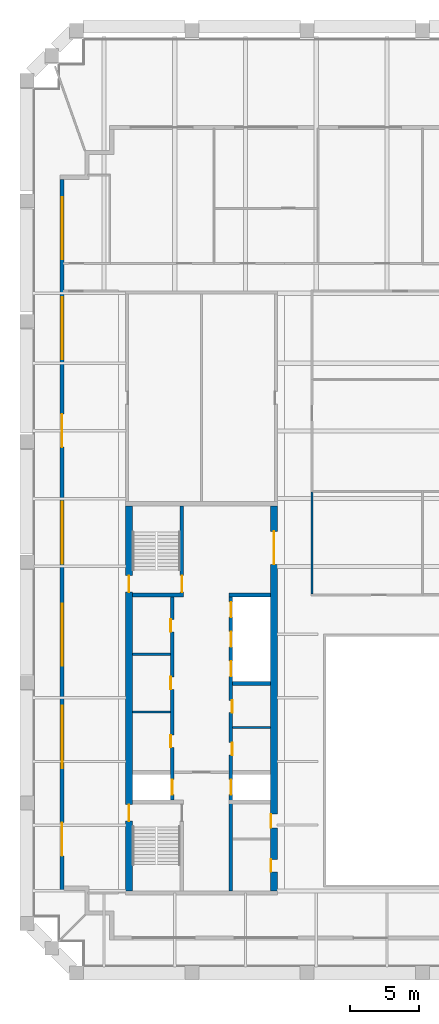
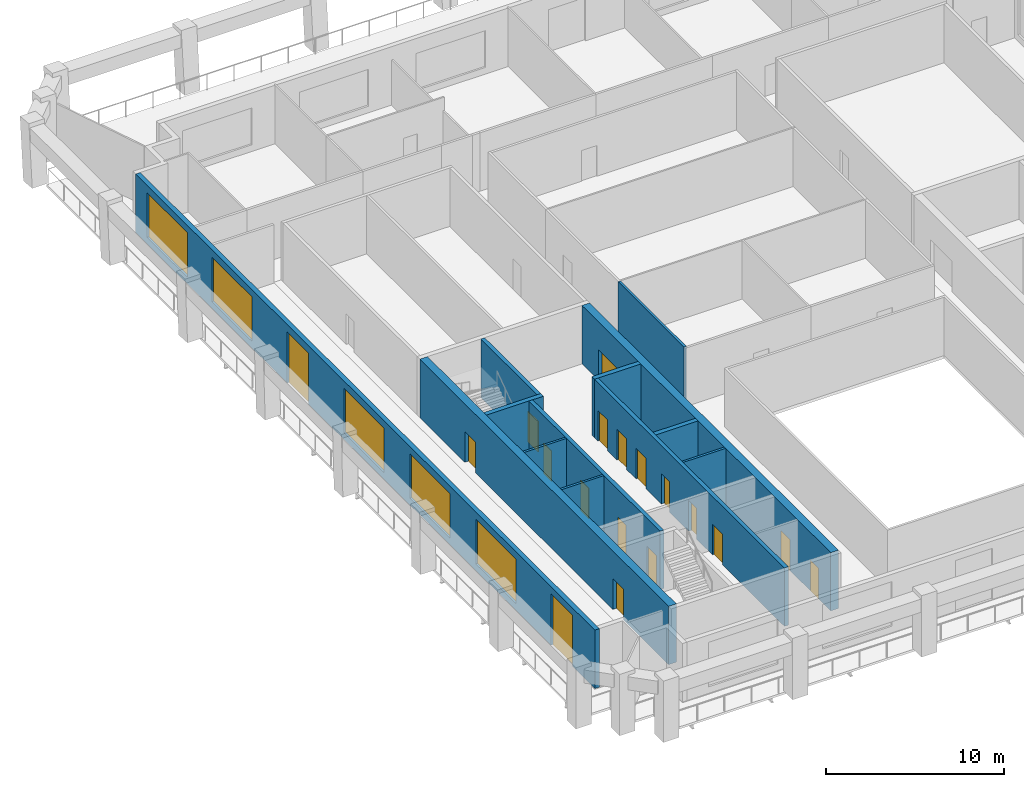
# One storey, part 3 of 8: 18 doors, 13 walls, 5 windows, 23 openings.
"""IFC4 building model written with IfcOpenShell, lengths in metres."""

from ifc_helpers import new_model, si_unit, direction, frame, frame_2d, origin, place, context, subcontext, project, spatial, rectangle, extrude, material, layer, layer_set, type_object, element, fill, save


model = new_model("IFC4")

# Units and contexts
model_context = context("Model", 3, precision=1e-05, world=origin(), true_north=direction((0.0, 1.0)))
body_context = subcontext(model_context, "Body", "Model", "MODEL_VIEW")
ifc_project = project(units=[si_unit("LENGTHUNIT", "METRE"), si_unit("AREAUNIT", "SQUARE_METRE"), si_unit("VOLUMEUNIT", "CUBIC_METRE"), si_unit("PLANEANGLEUNIT", "RADIAN"), si_unit("MASSUNIT", "GRAM", prefix="KILO")], contexts=[model_context])

# Site, building, storey
site_placement = place(None, origin())
site = spatial("IfcSite", under=ifc_project, at=site_placement, CompositionType="ELEMENT")
building_placement = place(site_placement, origin())
building = spatial("IfcBuilding", under=site, at=building_placement, Name="Ogive Exchange Tower", CompositionType="ELEMENT")
storey_placement = place(building_placement, frame((0.0, 0.0, 351.0)))
storey = spatial("IfcBuildingStorey", under=building, at=storey_placement, Name="L77", CompositionType="ELEMENT", Elevation=351.0)

# Walls
ifc_material_1 = material(Name="Gypsum board partition")
ifc_layer_1 = layer(ifc_material_1, 0.14990234375)
ifc_layer_set_1 = layer_set([ifc_layer_1], Name="Core room partition 150 gypsum")
wall_type_1 = type_object("IfcWallType", Name="Core room partition 150 gypsum", PredefinedType="PARTITIONING", material=ifc_layer_set_1)
for number, where, z_axis, x_axis, name in (
    (1, (-21.0, 10.5, 0.0), (0.0, 0.0, 1.0), (1.0, 0.0, 0.0), "W row A bay partition 1-1"),
    (2, (-21.0, 14.699951171875, 0.0), (0.0, 0.0, 1.0), (1.0, 0.0, 0.0), "W row A bay partition 1-2"),
    (3, (-13.75, 9.39990234375, 0.0), (0.0, 0.0, 1.0), (1.0, 0.0, 0.0), "W row B bay partition 1-1"),
):
    element("IfcWall", number, at=place(storey_placement, frame(where, z_axis=z_axis, x_axis=x_axis)), inside=storey, type_object=wall_type_1, Name=name, PredefinedType="PARTITIONING", context=body_context, shape_type="SweptSolid", body=[
        extrude(rectangle(XDim=2.75, YDim=0.14990234375, at=frame_2d((1.375, 0.0))), origin(), (0.0, 0.0, 1.0), 4.0),
    ])
ifc_material_2 = material(Name="Fire partition EI 60 150")
ifc_layer_2 = layer(ifc_material_2, 0.14990234375)
ifc_layer_set_2 = layer_set([ifc_layer_2], Name="Fire partition EI 60 150")
wall_type_2 = type_object("IfcWallType", Name="Fire partition EI 60 150", PredefinedType="PARTITIONING", material=ifc_layer_set_2)
wall_1_placement = place(storey_placement, frame((-8.0, 26.449951171875, 0.0), z_axis=(0.0, 0.0, 1.0), x_axis=(0.0, -1.0, 0.0)))
element("IfcWall", 4, at=wall_1_placement, inside=storey, type_object=wall_type_2, Name="L77-PWL-013", PredefinedType="PARTITIONING", context=body_context, shape_type="SweptSolid", body=[
    extrude(rectangle(XDim=7.375, YDim=0.14990234375, at=frame_2d((3.6875, 0.0))), origin(), (0.0, 0.0, 1.0), 4.0),
])

# Wall, openings, doors, windows
ifc_material_3 = material(Name="Precast concrete C40/50", Category="concrete")
ifc_layer_3 = layer(ifc_material_3, 0.300048828125)
ifc_layer_set_3 = layer_set([ifc_layer_3], Name="Limestone-faced wall 300")
wall_type_3 = type_object("IfcWallType", Name="Limestone-faced wall 300", PredefinedType="STANDARD", material=ifc_layer_set_3)
wall_2_placement = place(storey_placement, frame((-26.10009765625, 49.10009765625, 0.0), z_axis=(0.0, 0.0, 1.0), x_axis=(0.0, -1.0, 0.0)))
wall_2 = element("IfcWall", 5, at=wall_2_placement, inside=storey, type_object=wall_type_3, Name="External wall W4", PredefinedType="STANDARD", context=body_context, shape_type="SweptSolid", body=[
    extrude(rectangle(XDim=51.5, YDim=0.300048828125, at=frame_2d((25.75, 0.0))), origin(), (0.0, 0.0, 1.0), 4.0),
])
opening_1_placement = place(wall_2_placement, frame((1.300048828125, 0.0, 0.449951171875)))
opening_1 = element("IfcOpeningElement", 6, at=opening_1_placement, cuts=wall_2, Name="Opening W1", PredefinedType="OPENING", context=body_context, shape_type="SweptSolid", body=[
    extrude(rectangle(XDim=4.5, YDim=3.050048828125, at=frame_2d((2.25, 1.52490234375))), frame((0.0, 0.159912109375, 0.0), z_axis=(0.0, -1.0, 0.0), x_axis=(1.0, 0.0, 0.0)), (0.0, 0.0, 1.0), 0.320068359375),
])
opening_2_placement = place(wall_2_placement, frame((8.550048828125, 0.0, 0.449951171875)))
opening_2 = element("IfcOpeningElement", 7, at=opening_2_placement, cuts=wall_2, Name="Opening W1", PredefinedType="OPENING", context=body_context, shape_type="SweptSolid", body=[
    extrude(rectangle(XDim=4.5, YDim=3.050048828125, at=frame_2d((2.25, 1.52490234375))), frame((0.0, 0.159912109375, 0.0), z_axis=(0.0, -1.0, 0.0), x_axis=(1.0, 0.0, 0.0)), (0.0, 0.0, 1.0), 0.320068359375),
])
opening_3_placement = place(wall_2_placement, frame((17.0, 0.0, 0.0)))
opening_3 = element("IfcOpeningElement", 8, at=opening_3_placement, cuts=wall_2, Name="Opening D1", PredefinedType="OPENING", context=body_context, shape_type="SweptSolid", body=[
    extrude(rectangle(XDim=2.39990234375, YDim=3.5, at=frame_2d((1.199951171875, 1.75))), frame((0.0, 0.159912109375, 0.0), z_axis=(0.0, -1.0, 0.0), x_axis=(1.0, 0.0, 0.0)), (0.0, 0.0, 1.0), 0.320068359375),
])
opening_4_placement = place(wall_2_placement, frame((23.35009765625, 0.0, 0.449951171875)))
opening_4 = element("IfcOpeningElement", 9, at=opening_4_placement, cuts=wall_2, Name="Opening W1", PredefinedType="OPENING", context=body_context, shape_type="SweptSolid", body=[
    extrude(rectangle(XDim=4.5, YDim=3.050048828125, at=frame_2d((2.25, 1.52490234375))), frame((0.0, 0.159912109375, 0.0), z_axis=(0.0, -1.0, 0.0), x_axis=(1.0, 0.0, 0.0)), (0.0, 0.0, 1.0), 0.320068359375),
])
opening_5_placement = place(wall_2_placement, frame((30.75, 0.0, 0.449951171875)))
opening_5 = element("IfcOpeningElement", 10, at=opening_5_placement, cuts=wall_2, Name="Opening W1", PredefinedType="OPENING", context=body_context, shape_type="SweptSolid", body=[
    extrude(rectangle(XDim=4.5, YDim=3.050048828125, at=frame_2d((2.25, 1.52490234375))), frame((0.0, 0.159912109375, 0.0), z_axis=(0.0, -1.0, 0.0), x_axis=(1.0, 0.0, 0.0)), (0.0, 0.0, 1.0), 0.320068359375),
])
opening_6_placement = place(wall_2_placement, frame((38.14990234375, 0.0, 0.449951171875)))
opening_6 = element("IfcOpeningElement", 11, at=opening_6_placement, cuts=wall_2, Name="Opening W1", PredefinedType="OPENING", context=body_context, shape_type="SweptSolid", body=[
    extrude(rectangle(XDim=4.5, YDim=3.050048828125, at=frame_2d((2.25, 1.52490234375))), frame((0.0, 0.159912109375, 0.0), z_axis=(0.0, -1.0, 0.0), x_axis=(1.0, 0.0, 0.0)), (0.0, 0.0, 1.0), 0.320068359375),
])
opening_7_placement = place(wall_2_placement, frame((46.60009765625, 0.0, 0.0)))
opening_7 = element("IfcOpeningElement", 12, at=opening_7_placement, cuts=wall_2, Name="Opening D1", PredefinedType="OPENING", context=body_context, shape_type="SweptSolid", body=[
    extrude(rectangle(XDim=2.39990234375, YDim=3.5, at=frame_2d((1.199951171875, 1.75))), frame((0.0, 0.159912109375, 0.0), z_axis=(0.0, -1.0, 0.0), x_axis=(1.0, 0.0, 0.0)), (0.0, 0.0, 1.0), 0.320068359375),
])
ifc_material_4 = material(Name="Clear glass in bronze frame", Category="glass")
door_type_1 = type_object("IfcDoorType", Name="Sliding loggia door 2400 x 3500", OperationType="DOUBLE_DOOR_SLIDING", PredefinedType="DOOR", material=ifc_material_4)
door_1_placement = place(opening_3_placement, origin())
door_1 = element("IfcDoor", 13, at=door_1_placement, inside=storey, type_object=door_type_1, Name="Loggia door W02", OperationType="DOUBLE_DOOR_SLIDING", OverallHeight=3.5, OverallWidth=2.39990234375, PredefinedType="DOOR", context=body_context, shape_type="SweptSolid", body=[
    extrude(rectangle(XDim=2.39990234375, YDim=3.5, at=frame_2d((1.199951171875, 1.75))), frame((0.0, 0.02490234375, 0.0), z_axis=(0.0, -1.0, 0.0), x_axis=(1.0, 0.0, 0.0)), (0.0, 0.0, 1.0), 0.050048828125),
])
fill(opening_3, door_1)
door_2_placement = place(opening_7_placement, origin())
door_2 = element("IfcDoor", 14, at=door_2_placement, inside=storey, type_object=door_type_1, Name="Loggia door W06", OperationType="DOUBLE_DOOR_SLIDING", OverallHeight=3.5, OverallWidth=2.39990234375, PredefinedType="DOOR", context=body_context, shape_type="SweptSolid", body=[
    extrude(rectangle(XDim=2.39990234375, YDim=3.5, at=frame_2d((1.199951171875, 1.75))), frame((0.0, 0.02490234375, 0.0), z_axis=(0.0, -1.0, 0.0), x_axis=(1.0, 0.0, 0.0)), (0.0, 0.0, 1.0), 0.050048828125),
])
fill(opening_7, door_2)
window_type = type_object("IfcWindowType", Name="Twin lancet window 4500 x 3050", PartitioningType="DOUBLE_PANEL_VERTICAL", PredefinedType="WINDOW", material=ifc_material_4)
window_1_placement = place(opening_1_placement, origin())
window_1 = element("IfcWindow", 15, at=window_1_placement, inside=storey, type_object=window_type, Name="Window W00", OverallHeight=3.050048828125, OverallWidth=4.5, PartitioningType="DOUBLE_PANEL_VERTICAL", PredefinedType="WINDOW", context=body_context, shape_type="SweptSolid", body=[
    extrude(rectangle(XDim=4.5, YDim=3.050048828125, at=frame_2d((2.25, 1.52490234375))), frame((0.0, 0.030029296875, 0.0), z_axis=(0.0, -1.0, 0.0), x_axis=(1.0, 0.0, 0.0)), (0.0, 0.0, 1.0), 0.06005859375),
])
fill(opening_1, window_1)
window_2_placement = place(opening_2_placement, origin())
window_2 = element("IfcWindow", 16, at=window_2_placement, inside=storey, type_object=window_type, Name="Window W01", OverallHeight=3.050048828125, OverallWidth=4.5, PartitioningType="DOUBLE_PANEL_VERTICAL", PredefinedType="WINDOW", context=body_context, shape_type="SweptSolid", body=[
    extrude(rectangle(XDim=4.5, YDim=3.050048828125, at=frame_2d((2.25, 1.52490234375))), frame((0.0, 0.030029296875, 0.0), z_axis=(0.0, -1.0, 0.0), x_axis=(1.0, 0.0, 0.0)), (0.0, 0.0, 1.0), 0.06005859375),
])
fill(opening_2, window_2)
window_3_placement = place(opening_4_placement, origin())
window_3 = element("IfcWindow", 17, at=window_3_placement, inside=storey, type_object=window_type, Name="Window W03", OverallHeight=3.050048828125, OverallWidth=4.5, PartitioningType="DOUBLE_PANEL_VERTICAL", PredefinedType="WINDOW", context=body_context, shape_type="SweptSolid", body=[
    extrude(rectangle(XDim=4.5, YDim=3.050048828125, at=frame_2d((2.25, 1.52490234375))), frame((0.0, 0.030029296875, 0.0), z_axis=(0.0, -1.0, 0.0), x_axis=(1.0, 0.0, 0.0)), (0.0, 0.0, 1.0), 0.06005859375),
])
fill(opening_4, window_3)
window_4_placement = place(opening_5_placement, origin())
window_4 = element("IfcWindow", 18, at=window_4_placement, inside=storey, type_object=window_type, Name="Window W04", OverallHeight=3.050048828125, OverallWidth=4.5, PartitioningType="DOUBLE_PANEL_VERTICAL", PredefinedType="WINDOW", context=body_context, shape_type="SweptSolid", body=[
    extrude(rectangle(XDim=4.5, YDim=3.050048828125, at=frame_2d((2.25, 1.52490234375))), frame((0.0, 0.030029296875, 0.0), z_axis=(0.0, -1.0, 0.0), x_axis=(1.0, 0.0, 0.0)), (0.0, 0.0, 1.0), 0.06005859375),
])
fill(opening_5, window_4)
window_5_placement = place(opening_6_placement, origin())
window_5 = element("IfcWindow", 19, at=window_5_placement, inside=storey, type_object=window_type, Name="Window W05", OverallHeight=3.050048828125, OverallWidth=4.5, PartitioningType="DOUBLE_PANEL_VERTICAL", PredefinedType="WINDOW", context=body_context, shape_type="SweptSolid", body=[
    extrude(rectangle(XDim=4.5, YDim=3.050048828125, at=frame_2d((2.25, 1.52490234375))), frame((0.0, 0.030029296875, 0.0), z_axis=(0.0, -1.0, 0.0), x_axis=(1.0, 0.0, 0.0)), (0.0, 0.0, 1.0), 0.06005859375),
])
fill(opening_6, window_5)

# Wall, opening, door
ifc_material_5 = material(Name="Concrete C70/85", Category="concrete")
ifc_layer_4 = layer(ifc_material_5, 0.25)
ifc_layer_set_4 = layer_set([ifc_layer_4], Name="RC core wall 250 C70/85")
wall_type_4 = type_object("IfcWallType", Name="RC core wall 250 C70/85", PredefinedType="SHEAR", material=ifc_layer_set_4)
wall_3_placement = place(storey_placement, frame((-17.425048828125, 19.14990234375, 0.0), z_axis=(0.0, 0.0, 1.0), x_axis=(0.0, 1.0, 0.0)))
wall_3 = element("IfcWall", 20, at=wall_3_placement, inside=storey, type_object=wall_type_4, Name="W stair N front wall", PredefinedType="SHEAR", context=body_context, shape_type="SweptSolid", body=[
    extrude(rectangle(XDim=6.300048828125, YDim=0.25, at=frame_2d((3.14990234375, 0.0))), origin(), (0.0, 0.0, 1.0), 4.0),
])
opening_8_placement = place(wall_3_placement, frame((0.050048828125, 0.0, 0.0)))
opening_8 = element("IfcOpeningElement", 21, at=opening_8_placement, cuts=wall_3, Name="Opening L77-C15", PredefinedType="OPENING", context=body_context, shape_type="SweptSolid", body=[
    extrude(rectangle(XDim=1.199951171875, YDim=2.10009765625, at=frame_2d((0.60009765625, 1.050048828125))), frame((0.0, 0.135009765625, 0.0), z_axis=(0.0, -1.0, 0.0), x_axis=(1.0, 0.0, 0.0)), (0.0, 0.0, 1.0), 0.27001953125),
])
ifc_material_6 = material(Name="Steel fire door", Category="steel")
door_type_2 = type_object("IfcDoorType", Name="Stair door FD90 1200 x 2100", OperationType="NOTDEFINED", PredefinedType="DOOR", material=ifc_material_6)
door_3_placement = place(opening_8_placement, origin())
door_3 = element("IfcDoor", 22, at=door_3_placement, inside=storey, type_object=door_type_2, Name="Stair door", ObjectType="CD5", OperationType="SINGLE_SWING_RIGHT", OverallHeight=2.10009765625, OverallWidth=1.199951171875, PredefinedType="DOOR", context=body_context, shape_type="SweptSolid", body=[
    extrude(rectangle(XDim=1.199951171875, YDim=2.10009765625, at=frame_2d((0.60009765625, 1.050048828125))), frame((0.0, 0.02490234375, 0.0), z_axis=(0.0, -1.0, 0.0), x_axis=(1.0, 0.0, 0.0)), (0.0, 0.0, 1.0), 0.050048828125),
])
fill(opening_8, door_3)

# Wall, openings, doors
wall_4_placement = place(storey_placement, frame((-18.125, 4.14990234375, 0.0), z_axis=(0.0, 0.0, 1.0), x_axis=(0.0, 1.0, 0.0)))
wall_4 = element("IfcWall", 23, at=wall_4_placement, inside=storey, type_object=wall_type_4, Name="W row A front wall", PredefinedType="SHEAR", context=body_context, shape_type="SweptSolid", body=[
    extrude(rectangle(XDim=14.7001953125, YDim=0.25, at=frame_2d((7.35009765625, 0.0))), origin(), (0.0, 0.0, 1.0), 4.0),
])
opening_9_placement = place(wall_4_placement, frame((3.79638671875, 0.0, 0.0)))
opening_9 = element("IfcOpeningElement", 24, at=opening_9_placement, cuts=wall_4, Name="Opening L77-C01", PredefinedType="OPENING", context=body_context, shape_type="SweptSolid", body=[
    extrude(rectangle(XDim=0.89990234375, YDim=2.10009765625, at=frame_2d((0.449951171875, 1.050048828125))), frame((0.0, 0.135009765625, 0.0), z_axis=(0.0, -1.0, 0.0), x_axis=(1.0, 0.0, 0.0)), (0.0, 0.0, 1.0), 0.27001953125),
])
opening_10_placement = place(wall_4_placement, frame((8.0, 0.0, 0.0)))
opening_10 = element("IfcOpeningElement", 25, at=opening_10_placement, cuts=wall_4, Name="Opening L77-C02", PredefinedType="OPENING", context=body_context, shape_type="SweptSolid", body=[
    extrude(rectangle(XDim=0.89990234375, YDim=2.10009765625, at=frame_2d((0.449951171875, 1.050048828125))), frame((0.0, 0.135009765625, 0.0), z_axis=(0.0, -1.0, 0.0), x_axis=(1.0, 0.0, 0.0)), (0.0, 0.0, 1.0), 0.27001953125),
])
opening_11_placement = place(wall_4_placement, frame((12.175048828125, 0.0, 0.0)))
opening_11 = element("IfcOpeningElement", 26, at=opening_11_placement, cuts=wall_4, Name="Opening L77-C03", PredefinedType="OPENING", context=body_context, shape_type="SweptSolid", body=[
    extrude(rectangle(XDim=0.89990234375, YDim=2.10009765625, at=frame_2d((0.449951171875, 1.050048828125))), frame((0.0, 0.135009765625, 0.0), z_axis=(0.0, -1.0, 0.0), x_axis=(1.0, 0.0, 0.0)), (0.0, 0.0, 1.0), 0.27001953125),
])
opening_12_placement = place(wall_4_placement, frame((0.371337890625, 0.0, 0.0)))
opening_12 = element("IfcOpeningElement", 27, at=opening_12_placement, cuts=wall_4, Name="Opening L77-C04", PredefinedType="OPENING", context=body_context, shape_type="SweptSolid", body=[
    extrude(rectangle(XDim=1.10009765625, YDim=2.10009765625, at=frame_2d((0.550048828125, 1.050048828125))), frame((0.0, 0.135009765625, 0.0), z_axis=(0.0, -1.0, 0.0), x_axis=(1.0, 0.0, 0.0)), (0.0, 0.0, 1.0), 0.27001953125),
])
ifc_material_7 = material(Name="Timber fire door", Category="wood")
door_type_3 = type_object("IfcDoorType", Name="Core room door FD30S 900 x 2100", OperationType="NOTDEFINED", PredefinedType="DOOR", material=ifc_material_7)
door_4_placement = place(opening_10_placement, origin())
door_4 = element("IfcDoor", 28, at=door_4_placement, inside=storey, type_object=door_type_3, Name="Core room door", ObjectType="CD6", OperationType="SINGLE_SWING_LEFT", OverallHeight=2.10009765625, OverallWidth=0.89990234375, PredefinedType="DOOR", context=body_context, shape_type="SweptSolid", body=[
    extrude(rectangle(XDim=0.89990234375, YDim=2.10009765625, at=frame_2d((0.449951171875, 1.050048828125))), frame((0.0, 0.125, 0.0), z_axis=(0.0, -1.0, 0.0), x_axis=(1.0, 0.0, 0.0)), (0.0, 0.0, 1.0), 0.050048828125),
])
fill(opening_10, door_4)
ifc_material_8 = material(Name="Stainless steel", Category="steel")
door_type_4 = type_object("IfcDoorType", Name="Lift landing door FD90 1100 x 2100", OperationType="SLIDING_TO_LEFT", PredefinedType="DOOR", material=ifc_material_8)
door_5_placement = place(opening_12_placement, origin())
door_5 = element("IfcDoor", 29, at=door_5_placement, inside=storey, type_object=door_type_4, Name="Lift landing door FF1", ObjectType="LD", OperationType="SLIDING_TO_LEFT", OverallHeight=2.10009765625, OverallWidth=1.10009765625, PredefinedType="DOOR", context=body_context, shape_type="SweptSolid", body=[
    extrude(rectangle(XDim=1.10009765625, YDim=2.10009765625, at=frame_2d((0.550048828125, 1.050048828125))), frame((0.0, 0.02490234375, 0.0), z_axis=(0.0, -1.0, 0.0), x_axis=(1.0, 0.0, 0.0)), (0.0, 0.0, 1.0), 0.050048828125),
])
fill(opening_12, door_5)
door_type_5 = type_object("IfcDoorType", Name="Riser door FD60 900 x 2100", OperationType="NOTDEFINED", PredefinedType="DOOR", material=ifc_material_6)
door_6_placement = place(opening_9_placement, origin())
door_6 = element("IfcDoor", 30, at=door_6_placement, inside=storey, type_object=door_type_5, Name="Riser door", ObjectType="CD2", OperationType="SINGLE_SWING_LEFT", OverallHeight=2.10009765625, OverallWidth=0.89990234375, PredefinedType="DOOR", context=body_context, shape_type="SweptSolid", body=[
    extrude(rectangle(XDim=0.89990234375, YDim=2.10009765625, at=frame_2d((0.449951171875, 1.050048828125))), frame((0.0, 0.125, 0.0), z_axis=(0.0, -1.0, 0.0), x_axis=(1.0, 0.0, 0.0)), (0.0, 0.0, 1.0), 0.050048828125),
])
fill(opening_9, door_6)
door_7_placement = place(opening_11_placement, origin())
door_7 = element("IfcDoor", 31, at=door_7_placement, inside=storey, type_object=door_type_5, Name="Riser door", ObjectType="CD2", OperationType="SINGLE_SWING_LEFT", OverallHeight=2.10009765625, OverallWidth=0.89990234375, PredefinedType="DOOR", context=body_context, shape_type="SweptSolid", body=[
    extrude(rectangle(XDim=0.89990234375, YDim=2.10009765625, at=frame_2d((0.449951171875, 1.050048828125))), frame((0.0, 0.125, 0.0), z_axis=(0.0, -1.0, 0.0), x_axis=(1.0, 0.0, 0.0)), (0.0, 0.0, 1.0), 0.050048828125),
])
fill(opening_11, door_7)

wall_5_placement = place(storey_placement, frame((-13.875, -2.449951171875, 0.0), z_axis=(0.0, 0.0, 1.0), x_axis=(0.0, 1.0, 0.0)))
wall_5 = element("IfcWall", 32, at=wall_5_placement, inside=storey, type_object=wall_type_4, Name="W row B front wall", PredefinedType="SHEAR", context=body_context, shape_type="SweptSolid", body=[
    extrude(rectangle(XDim=21.300048828125, YDim=0.25, at=frame_2d((10.64990234375, 0.0))), origin(), (0.0, 0.0, 1.0), 4.0),
])
opening_13_placement = place(wall_5_placement, frame((9.846435546875, 0.0, 0.0)))
opening_13 = element("IfcOpeningElement", 33, at=opening_13_placement, cuts=wall_5, Name="Opening L77-C05", PredefinedType="OPENING", context=body_context, shape_type="SweptSolid", body=[
    extrude(rectangle(XDim=0.89990234375, YDim=2.10009765625, at=frame_2d((0.449951171875, 1.050048828125))), frame((0.0, 0.135009765625, 0.0), z_axis=(0.0, -1.0, 0.0), x_axis=(1.0, 0.0, 0.0)), (0.0, 0.0, 1.0), 0.27001953125),
])
opening_14_placement = place(wall_5_placement, frame((12.91064453125, 0.0, 0.0)))
opening_14 = element("IfcOpeningElement", 34, at=opening_14_placement, cuts=wall_5, Name="Opening L77-C06", PredefinedType="OPENING", context=body_context, shape_type="SweptSolid", body=[
    extrude(rectangle(XDim=0.89990234375, YDim=2.10009765625, at=frame_2d((0.449951171875, 1.050048828125))), frame((0.0, 0.135009765625, 0.0), z_axis=(0.0, -1.0, 0.0), x_axis=(1.0, 0.0, 0.0)), (0.0, 0.0, 1.0), 0.27001953125),
])
opening_15_placement = place(wall_5_placement, frame((6.971435546875, 0.0, 0.0)))
opening_15 = element("IfcOpeningElement", 35, at=opening_15_placement, cuts=wall_5, Name="Opening L77-C07", PredefinedType="OPENING", context=body_context, shape_type="SweptSolid", body=[
    extrude(rectangle(XDim=1.10009765625, YDim=2.10009765625, at=frame_2d((0.550048828125, 1.050048828125))), frame((0.0, 0.135009765625, 0.0), z_axis=(0.0, -1.0, 0.0), x_axis=(1.0, 0.0, 0.0)), (0.0, 0.0, 1.0), 0.27001953125),
])
opening_16_placement = place(wall_5_placement, frame((15.54296875, 0.0, 0.0)))
opening_16 = element("IfcOpeningElement", 36, at=opening_16_placement, cuts=wall_5, Name="Opening L77-C08", PredefinedType="OPENING", context=body_context, shape_type="SweptSolid", body=[
    extrude(rectangle(XDim=1.10009765625, YDim=2.10009765625, at=frame_2d((0.550048828125, 1.050048828125))), frame((0.0, 0.135009765625, 0.0), z_axis=(0.0, -1.0, 0.0), x_axis=(1.0, 0.0, 0.0)), (0.0, 0.0, 1.0), 0.27001953125),
])
opening_17_placement = place(wall_5_placement, frame((17.685791015625, 0.0, 0.0)))
opening_17 = element("IfcOpeningElement", 37, at=opening_17_placement, cuts=wall_5, Name="Opening L77-C09", PredefinedType="OPENING", context=body_context, shape_type="SweptSolid", body=[
    extrude(rectangle(XDim=1.10009765625, YDim=2.10009765625, at=frame_2d((0.550048828125, 1.050048828125))), frame((0.0, 0.135009765625, 0.0), z_axis=(0.0, -1.0, 0.0), x_axis=(1.0, 0.0, 0.0)), (0.0, 0.0, 1.0), 0.27001953125),
])
opening_18_placement = place(wall_5_placement, frame((19.82861328125, 0.0, 0.0)))
opening_18 = element("IfcOpeningElement", 38, at=opening_18_placement, cuts=wall_5, Name="Opening L77-C10", PredefinedType="OPENING", context=body_context, shape_type="SweptSolid", body=[
    extrude(rectangle(XDim=1.10009765625, YDim=2.10009765625, at=frame_2d((0.550048828125, 1.050048828125))), frame((0.0, 0.135009765625, 0.0), z_axis=(0.0, -1.0, 0.0), x_axis=(1.0, 0.0, 0.0)), (0.0, 0.0, 1.0), 0.27001953125),
])
door_8_placement = place(opening_13_placement, frame((0.89990234375, -0.2001953125, 0.0), z_axis=(0.0, 0.0, 1.0), x_axis=(-1.0, 0.0, 0.0)))
door_8 = element("IfcDoor", 39, at=door_8_placement, inside=storey, type_object=door_type_3, Name="Core room door", ObjectType="CD6", OperationType="SINGLE_SWING_LEFT", OverallHeight=2.10009765625, OverallWidth=0.89990234375, PredefinedType="DOOR", context=body_context, shape_type="SweptSolid", body=[
    extrude(rectangle(XDim=0.89990234375, YDim=2.10009765625, at=frame_2d((0.449951171875, 1.050048828125))), frame((0.0, -0.0751953125, 0.0), z_axis=(0.0, -1.0, 0.0), x_axis=(1.0, 0.0, 0.0)), (0.0, 0.0, 1.0), 0.050048828125),
])
fill(opening_13, door_8)
door_9_placement = place(opening_15_placement, origin())
door_9 = element("IfcDoor", 40, at=door_9_placement, inside=storey, type_object=door_type_4, Name="Lift landing door SV1", ObjectType="LD", OperationType="SLIDING_TO_LEFT", OverallHeight=2.10009765625, OverallWidth=1.10009765625, PredefinedType="DOOR", context=body_context, shape_type="SweptSolid", body=[
    extrude(rectangle(XDim=1.10009765625, YDim=2.10009765625, at=frame_2d((0.550048828125, 1.050048828125))), frame((0.0, 0.02490234375, 0.0), z_axis=(0.0, -1.0, 0.0), x_axis=(1.0, 0.0, 0.0)), (0.0, 0.0, 1.0), 0.050048828125),
])
fill(opening_15, door_9)
door_10_placement = place(opening_16_placement, origin())
door_10 = element("IfcDoor", 41, at=door_10_placement, inside=storey, type_object=door_type_4, Name="Lift landing door W-H1", ObjectType="LD", OperationType="SLIDING_TO_LEFT", OverallHeight=2.10009765625, OverallWidth=1.10009765625, PredefinedType="DOOR", context=body_context, shape_type="SweptSolid", body=[
    extrude(rectangle(XDim=1.10009765625, YDim=2.10009765625, at=frame_2d((0.550048828125, 1.050048828125))), frame((0.0, 0.02490234375, 0.0), z_axis=(0.0, -1.0, 0.0), x_axis=(1.0, 0.0, 0.0)), (0.0, 0.0, 1.0), 0.050048828125),
])
fill(opening_16, door_10)
door_11_placement = place(opening_17_placement, origin())
door_11 = element("IfcDoor", 42, at=door_11_placement, inside=storey, type_object=door_type_4, Name="Lift landing door W-H2", ObjectType="LD", OperationType="SLIDING_TO_LEFT", OverallHeight=2.10009765625, OverallWidth=1.10009765625, PredefinedType="DOOR", context=body_context, shape_type="SweptSolid", body=[
    extrude(rectangle(XDim=1.10009765625, YDim=2.10009765625, at=frame_2d((0.550048828125, 1.050048828125))), frame((0.0, 0.02490234375, 0.0), z_axis=(0.0, -1.0, 0.0), x_axis=(1.0, 0.0, 0.0)), (0.0, 0.0, 1.0), 0.050048828125),
])
fill(opening_17, door_11)
door_12_placement = place(opening_18_placement, origin())
door_12 = element("IfcDoor", 43, at=door_12_placement, inside=storey, type_object=door_type_4, Name="Lift landing door W-H3", ObjectType="LD", OperationType="SLIDING_TO_LEFT", OverallHeight=2.10009765625, OverallWidth=1.10009765625, PredefinedType="DOOR", context=body_context, shape_type="SweptSolid", body=[
    extrude(rectangle(XDim=1.10009765625, YDim=2.10009765625, at=frame_2d((0.550048828125, 1.050048828125))), frame((0.0, 0.02490234375, 0.0), z_axis=(0.0, -1.0, 0.0), x_axis=(1.0, 0.0, 0.0)), (0.0, 0.0, 1.0), 0.050048828125),
])
fill(opening_18, door_12)
door_13_placement = place(opening_14_placement, frame((0.89990234375, -0.2001953125, 0.0), z_axis=(0.0, 0.0, 1.0), x_axis=(-1.0, 0.0, 0.0)))
door_13 = element("IfcDoor", 44, at=door_13_placement, inside=storey, type_object=door_type_5, Name="Riser door", ObjectType="CD2", OperationType="SINGLE_SWING_LEFT", OverallHeight=2.10009765625, OverallWidth=0.89990234375, PredefinedType="DOOR", context=body_context, shape_type="SweptSolid", body=[
    extrude(rectangle(XDim=0.89990234375, YDim=2.10009765625, at=frame_2d((0.449951171875, 1.050048828125))), frame((0.0, -0.0751953125, 0.0), z_axis=(0.0, -1.0, 0.0), x_axis=(1.0, 0.0, 0.0)), (0.0, 0.0, 1.0), 0.050048828125),
])
fill(opening_14, door_13)

# Walls
ifc_layer_5 = layer(ifc_material_5, 0.300048828125)
ifc_layer_set_5 = layer_set([ifc_layer_5], Name="RC core wall 300 C70/85")
wall_type_5 = type_object("IfcWallType", Name="RC core wall 300 C70/85", PredefinedType="SHEAR", material=ifc_layer_set_5)
wall_6_placement = place(storey_placement, frame((-21.0, 19.0, 0.0), z_axis=(0.0, 0.0, 1.0), x_axis=(1.0, 0.0, 0.0)))
element("IfcWall", 45, at=wall_6_placement, inside=storey, type_object=wall_type_5, Name="W stair N south wall", PredefinedType="SHEAR", context=body_context, shape_type="SweptSolid", body=[
    extrude(rectangle(XDim=3.699951171875, YDim=0.300048828125, at=frame_2d((1.85009765625, 0.0))), origin(), (0.0, 0.0, 1.0), 4.0),
])
wall_7_placement = place(storey_placement, frame((-13.75, 12.5712890625, 0.0), z_axis=(0.0, 0.0, 1.0), x_axis=(1.0, 0.0, 0.0)))
element("IfcWall", 46, at=wall_7_placement, inside=storey, type_object=wall_type_5, Name="W row B divider 4", PredefinedType="SHEAR", context=body_context, shape_type="SweptSolid", body=[
    extrude(rectangle(XDim=2.75, YDim=0.300048828125, at=frame_2d((1.375, 0.0))), origin(), (0.0, 0.0, 1.0), 4.0),
])
wall_8_placement = place(storey_placement, frame((-14.0, 19.0, 0.0), z_axis=(0.0, 0.0, 1.0), x_axis=(1.0, 0.0, 0.0)))
element("IfcWall", 47, at=wall_8_placement, inside=storey, type_object=wall_type_5, Name="W row B divider 7", PredefinedType="SHEAR", context=body_context, shape_type="SweptSolid", body=[
    extrude(rectangle(XDim=3.0, YDim=0.300048828125, at=frame_2d((1.5, 0.0))), origin(), (0.0, 0.0, 1.0), 4.0),
])

# Wall, openings, doors
ifc_layer_6 = layer(ifc_material_5, 0.5)
ifc_layer_set_6 = layer_set([ifc_layer_6], Name="RC core wall 500 C70/85")
wall_type_6 = type_object("IfcWallType", Name="RC core wall 500 C70/85", PredefinedType="SHEAR", material=ifc_layer_set_6)
wall_9_placement = place(storey_placement, frame((-21.25, -2.449951171875, 0.0), z_axis=(0.0, 0.0, 1.0), x_axis=(0.0, 1.0, 0.0)))
wall_9 = element("IfcWall", 48, at=wall_9_placement, inside=storey, type_object=wall_type_6, Name="W outer wall", PredefinedType="SHEAR", context=body_context, shape_type="SweptSolid", body=[
    extrude(rectangle(XDim=27.89990234375, YDim=0.5, at=frame_2d((13.949951171875, 0.0))), origin(), (0.0, 0.0, 1.0), 4.0),
])
opening_19_placement = place(wall_9_placement, frame((5.050048828125, 0.0, 0.0)))
opening_19 = element("IfcOpeningElement", 49, at=opening_19_placement, cuts=wall_9, Name="Opening L77-C14", PredefinedType="OPENING", context=body_context, shape_type="SweptSolid", body=[
    extrude(rectangle(XDim=1.199951171875, YDim=2.10009765625, at=frame_2d((0.60009765625, 1.050048828125))), frame((0.0, 0.260009765625, 0.0), z_axis=(0.0, -1.0, 0.0), x_axis=(1.0, 0.0, 0.0)), (0.0, 0.0, 1.0), 0.52001953125),
])
opening_20_placement = place(wall_9_placement, frame((21.64990234375, 0.0, 0.0)))
opening_20 = element("IfcOpeningElement", 50, at=opening_20_placement, cuts=wall_9, Name="Opening L77-C16", PredefinedType="OPENING", context=body_context, shape_type="SweptSolid", body=[
    extrude(rectangle(XDim=1.199951171875, YDim=2.10009765625, at=frame_2d((0.60009765625, 1.050048828125))), frame((0.0, 0.260009765625, 0.0), z_axis=(0.0, -1.0, 0.0), x_axis=(1.0, 0.0, 0.0)), (0.0, 0.0, 1.0), 0.52001953125),
])
door_14_placement = place(opening_19_placement, origin())
door_14 = element("IfcDoor", 51, at=door_14_placement, inside=storey, type_object=door_type_2, Name="Stair door", ObjectType="CD5", OperationType="SINGLE_SWING_LEFT", OverallHeight=2.10009765625, OverallWidth=1.199951171875, PredefinedType="DOOR", context=body_context, shape_type="SweptSolid", body=[
    extrude(rectangle(XDim=1.199951171875, YDim=2.10009765625, at=frame_2d((0.60009765625, 1.050048828125))), frame((0.0, 0.02490234375, 0.0), z_axis=(0.0, -1.0, 0.0), x_axis=(1.0, 0.0, 0.0)), (0.0, 0.0, 1.0), 0.050048828125),
])
fill(opening_19, door_14)
door_15_placement = place(opening_20_placement, origin())
door_15 = element("IfcDoor", 52, at=door_15_placement, inside=storey, type_object=door_type_2, Name="Stair door", ObjectType="CD5", OperationType="SINGLE_SWING_LEFT", OverallHeight=2.10009765625, OverallWidth=1.199951171875, PredefinedType="DOOR", context=body_context, shape_type="SweptSolid", body=[
    extrude(rectangle(XDim=1.199951171875, YDim=2.10009765625, at=frame_2d((0.60009765625, 1.050048828125))), frame((0.0, 0.02490234375, 0.0), z_axis=(0.0, -1.0, 0.0), x_axis=(1.0, 0.0, 0.0)), (0.0, 0.0, 1.0), 0.050048828125),
])
fill(opening_20, door_15)

wall_10_placement = place(storey_placement, frame((-10.75, -2.449951171875, 0.0), z_axis=(0.0, 0.0, 1.0), x_axis=(0.0, 1.0, 0.0)))
wall_10 = element("IfcWall", 53, at=wall_10_placement, inside=storey, type_object=wall_type_6, Name="W inner wall", PredefinedType="SHEAR", context=body_context, shape_type="SweptSolid", body=[
    extrude(rectangle(XDim=27.89990234375, YDim=0.5, at=frame_2d((13.949951171875, 0.0))), origin(), (0.0, 0.0, 1.0), 4.0),
])
opening_21_placement = place(wall_10_placement, frame((23.64990234375, 0.0, 0.0)))
opening_21 = element("IfcOpeningElement", 54, at=opening_21_placement, cuts=wall_10, Name="Opening L77-C12", PredefinedType="OPENING", context=body_context, shape_type="SweptSolid", body=[
    extrude(rectangle(XDim=2.39990234375, YDim=2.10009765625, at=frame_2d((1.199951171875, 1.050048828125))), frame((0.0, 0.260009765625, 0.0), z_axis=(0.0, -1.0, 0.0), x_axis=(1.0, 0.0, 0.0)), (0.0, 0.0, 1.0), 0.52001953125),
])
opening_22_placement = place(wall_10_placement, frame((1.387451171875, 0.0, 0.0)))
opening_22 = element("IfcOpeningElement", 55, at=opening_22_placement, cuts=wall_10, Name="Opening L77-C17", PredefinedType="OPENING", context=body_context, shape_type="SweptSolid", body=[
    extrude(rectangle(XDim=0.89990234375, YDim=2.10009765625, at=frame_2d((0.449951171875, 1.050048828125))), frame((0.0, 0.260009765625, 0.0), z_axis=(0.0, -1.0, 0.0), x_axis=(1.0, 0.0, 0.0)), (0.0, 0.0, 1.0), 0.52001953125),
])
opening_23_placement = place(wall_10_placement, frame((4.5625, 0.0, 0.0)))
opening_23 = element("IfcOpeningElement", 56, at=opening_23_placement, cuts=wall_10, Name="Opening L77-C18", PredefinedType="OPENING", context=body_context, shape_type="SweptSolid", body=[
    extrude(rectangle(XDim=1.0, YDim=2.10009765625, at=frame_2d((0.5, 1.050048828125))), frame((0.0, 0.260009765625, 0.0), z_axis=(0.0, -1.0, 0.0), x_axis=(1.0, 0.0, 0.0)), (0.0, 0.0, 1.0), 0.52001953125),
])
door_type_6 = type_object("IfcDoorType", Name="Accessible WC door FD30S 1000 x 2100", OperationType="NOTDEFINED", PredefinedType="DOOR", material=ifc_material_7)
door_16_placement = place(opening_23_placement, frame((1.0, 0.4501953125, 0.0), z_axis=(0.0, 0.0, 1.0), x_axis=(-1.0, 0.0, 0.0)))
door_16 = element("IfcDoor", 57, at=door_16_placement, inside=storey, type_object=door_type_6, Name="Accessible WC door", ObjectType="CD7", OperationType="SINGLE_SWING_LEFT", OverallHeight=2.10009765625, OverallWidth=1.0, PredefinedType="DOOR", context=body_context, shape_type="SweptSolid", body=[
    extrude(rectangle(XDim=1.0, YDim=2.10009765625, at=frame_2d((0.5, 1.050048828125))), frame((0.0, 0.25, 0.0), z_axis=(0.0, -1.0, 0.0), x_axis=(1.0, 0.0, 0.0)), (0.0, 0.0, 1.0), 0.050048828125),
])
fill(opening_23, door_16)
door_17_placement = place(opening_22_placement, frame((0.89990234375, 0.4501953125, 0.0), z_axis=(0.0, 0.0, 1.0), x_axis=(-1.0, 0.0, 0.0)))
door_17 = element("IfcDoor", 58, at=door_17_placement, inside=storey, type_object=door_type_3, Name="Core room door", ObjectType="CD6", OperationType="SINGLE_SWING_RIGHT", OverallHeight=2.10009765625, OverallWidth=0.89990234375, PredefinedType="DOOR", context=body_context, shape_type="SweptSolid", body=[
    extrude(rectangle(XDim=0.89990234375, YDim=2.10009765625, at=frame_2d((0.449951171875, 1.050048828125))), frame((0.0, 0.25, 0.0), z_axis=(0.0, -1.0, 0.0), x_axis=(1.0, 0.0, 0.0)), (0.0, 0.0, 1.0), 0.050048828125),
])
fill(opening_22, door_17)
ifc_material_9 = material(Name="Glazed steel fire door", Category="steel")
door_type_7 = type_object("IfcDoorType", Name="Lift lobby double door FD60 2400 x 2100", OperationType="DOUBLE_DOOR_SINGLE_SWING", PredefinedType="DOOR", material=ifc_material_9)
door_18_placement = place(opening_21_placement, frame((2.39990234375, 0.0, 0.0), z_axis=(0.0, 0.0, 1.0), x_axis=(-1.0, 0.0, 0.0)))
door_18 = element("IfcDoor", 59, at=door_18_placement, inside=storey, type_object=door_type_7, Name="Lift lobby double door", ObjectType="CD4", OperationType="DOUBLE_DOOR_SINGLE_SWING", OverallHeight=2.10009765625, OverallWidth=2.39990234375, PredefinedType="DOOR", context=body_context, shape_type="SweptSolid", body=[
    extrude(rectangle(XDim=2.39990234375, YDim=2.10009765625, at=frame_2d((1.199951171875, 1.050048828125))), frame((0.0, 0.02490234375, 0.0), z_axis=(0.0, -1.0, 0.0), x_axis=(1.0, 0.0, 0.0)), (0.0, 0.0, 1.0), 0.050048828125),
])
fill(opening_21, door_18)

save(model, "model.ifc")
